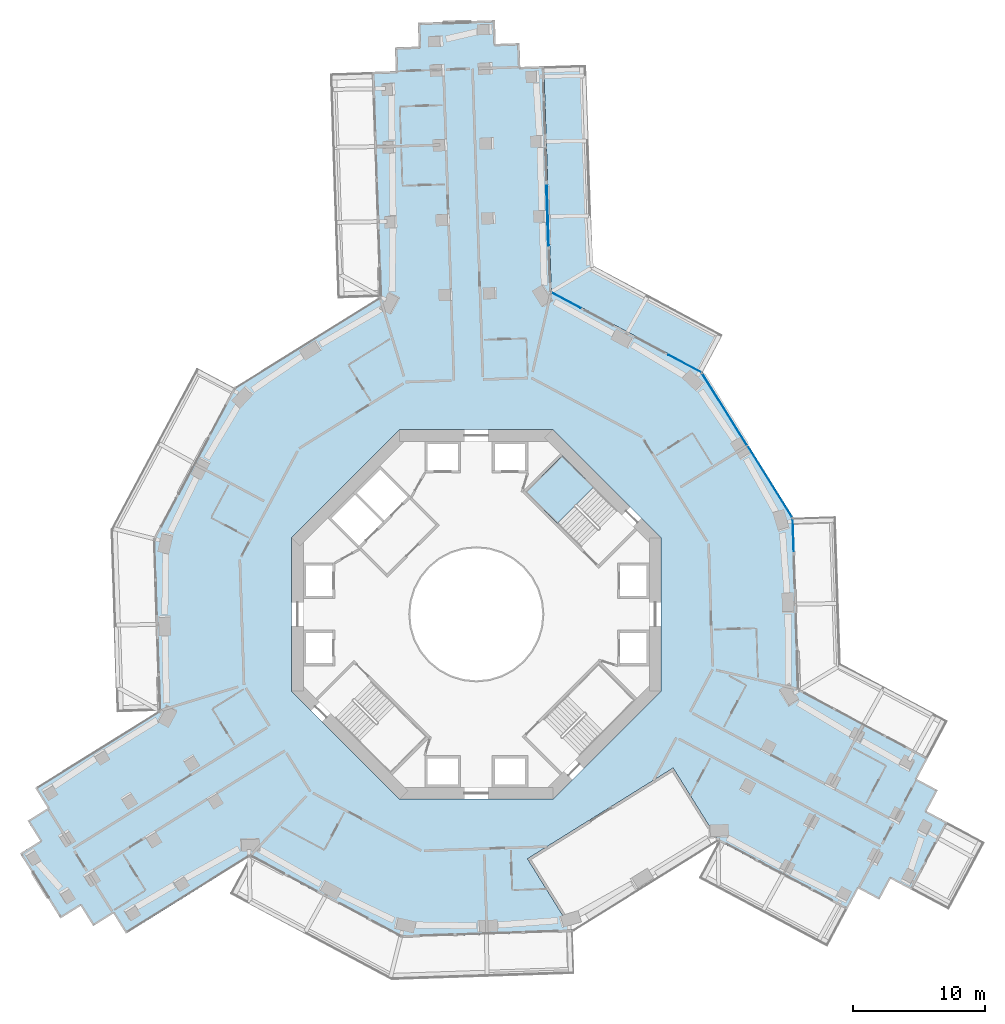
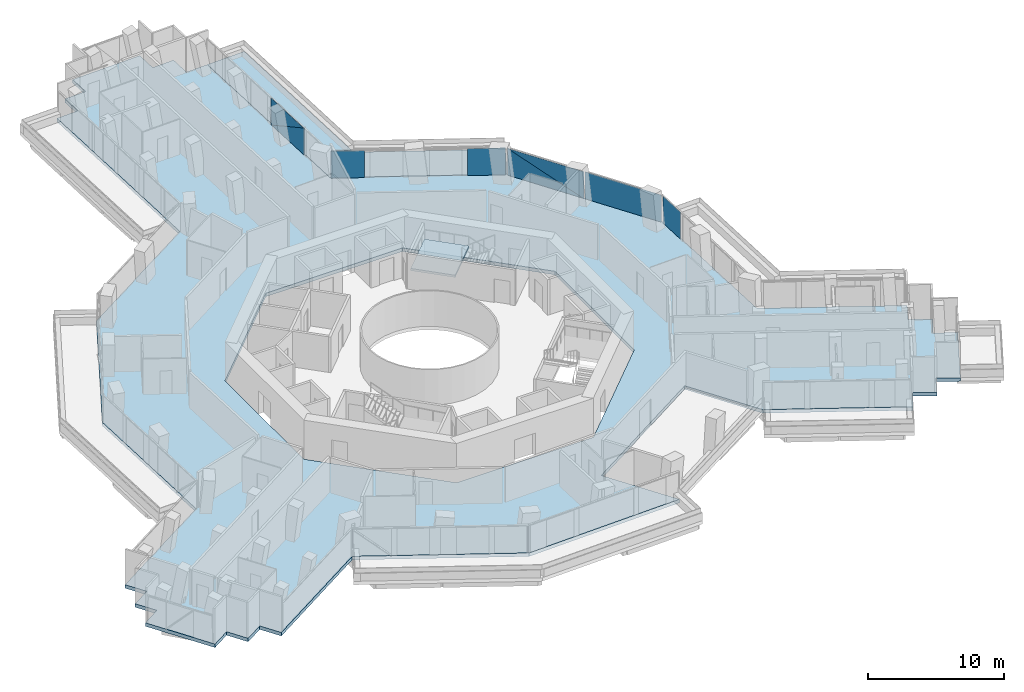
# One storey, part 16 of 27: 8 plates, 3 slabs, 5 elements without a shape of their own.
"""IFC4 building model written with IfcOpenShell, lengths in metres."""

import ifcopenshell
import ifcopenshell.guid

model = None  # the IFC model being written
_history = None  # IfcOwnerHistory: only IFC2X3 demands one
_inside = {}  # id of a spatial element -> (the spatial element, [elements in it])
_under = {}  # id of a project, library or spatial element -> (it, [spatial elements below it])
_declared = {}  # id of a project -> (the project, [libraries it declares])
_typed = {}  # id of a type object -> (the type object, [elements of that type])
_made_of = {}  # id of a material, layer set ... -> (it, [elements and type objects made of it])


def new_model(schema):
    """Start an empty IFC model of exactly this schema.

    Asked for "IFC4X3", IfcOpenShell would pick the latest addendum, in which some entities
    have other attributes; the version numbers below select the first issue.
    IFC2X3 requires an IfcOwnerHistory on every rooted entity: one is made here for all.
    """
    global model, _history
    if schema == "IFC4X3":
        model = ifcopenshell.file(schema_version=(4, 3, 0, 0))
    else:
        model = ifcopenshell.file(schema=schema)
    _inside.clear()
    _under.clear()
    _declared.clear()
    _typed.clear()
    _made_of.clear()
    _history = None
    if model.schema == "IFC2X3":
        org = make("IfcOrganization", Name="unknown")
        user = make(
            "IfcPersonAndOrganization",
            ThePerson=make("IfcPerson", FamilyName="unknown"),
            TheOrganization=org,
        )
        app = make(
            "IfcApplication",
            ApplicationDeveloper=org,
            Version="unknown",
            ApplicationFullName="unknown",
            ApplicationIdentifier="unknown",
        )
        _history = make(
            "IfcOwnerHistory",
            OwningUser=user,
            OwningApplication=app,
            ChangeAction="ADDED",
            CreationDate=0,
        )
    return model


def make(cls, **values):
    """One entity of the class cls with the attributes given. An attribute that is None is left unset."""
    return model.create_entity(
        cls, **{name: value for name, value in values.items() if value is not None}
    )


def rooted(cls, **values):
    """An entity with a GlobalId (a new one), such as an element, a storey or a relation."""
    return make(cls, GlobalId=ifcopenshell.guid.new(), OwnerHistory=_history, **values)


def si_unit(unit_type, name, prefix=None):
    """IfcSIUnit, for example si_unit("LENGTHUNIT", "METRE", prefix="MILLI")."""
    return make("IfcSIUnit", UnitType=unit_type, Prefix=prefix, Name=name)


def assignment(units):
    """IfcUnitAssignment: the units of a project."""
    return None if units is None else make("IfcUnitAssignment", Units=units)


def point(xyz):
    """IfcCartesianPoint."""
    return None if xyz is None else make("IfcCartesianPoint", Coordinates=xyz)


def direction(xyz):
    """IfcDirection."""
    return None if xyz is None else make("IfcDirection", DirectionRatios=xyz)


def frame(location, z_axis=None, x_axis=None):
    """IfcAxis2Placement3D, a coordinate frame: its origin and axes. An axis left out is left unset."""
    return make(
        "IfcAxis2Placement3D",
        Location=point(location),
        Axis=direction(z_axis),
        RefDirection=direction(x_axis),
    )


def frame_2d(location, x_axis=None):
    """IfcAxis2Placement2D, a coordinate frame in the plane: its origin and x axis."""
    return make(
        "IfcAxis2Placement2D", Location=point(location), RefDirection=direction(x_axis)
    )


def origin():
    """The frame at (0, 0, 0) with its axes left unset."""
    return frame((0.0, 0.0, 0.0))


def origin_2d():
    """The frame at (0, 0) in the plane with its x axis left unset."""
    return frame_2d((0.0, 0.0))


def place(relative_to, where):
    """IfcLocalPlacement: puts the frame where relative to a parent placement (None: the world)."""
    return make(
        "IfcLocalPlacement", PlacementRelTo=relative_to, RelativePlacement=where
    )


def context(
    kind, dimensions, precision=None, world=None, true_north=None, identifier=None
):
    """IfcGeometricRepresentationContext, for example the 3D "Model" context."""
    return make(
        "IfcGeometricRepresentationContext",
        ContextIdentifier=identifier,
        ContextType=kind,
        CoordinateSpaceDimension=dimensions,
        Precision=precision,
        WorldCoordinateSystem=world,
        TrueNorth=true_north,
    )


def subcontext(parent, identifier, kind, view, scale=None):
    """IfcGeometricRepresentationSubContext, for example "Body" below "Model"."""
    return make(
        "IfcGeometricRepresentationSubContext",
        ContextIdentifier=identifier,
        ContextType=kind,
        ParentContext=parent,
        TargetScale=scale,
        TargetView=view,
    )


def project(units=None, contexts=None):
    """IfcProject with its units and contexts."""
    return rooted(
        "IfcProject",
        Name="project",
        RepresentationContexts=contexts,
        UnitsInContext=assignment(units),
    )


def spatial(cls, under=None, at=None, **own):
    """A site, building, storey or space (cls), placed at a placement, below another one or the project."""
    s = rooted(cls, ObjectPlacement=at, **own)
    if under is not None:
        _under.setdefault(under.id(), (under, []))[1].append(s)
    return s


def polyline(points):
    """IfcPolyline through the points."""
    return make("IfcPolyline", Points=[point(p) for p in points])


def profile(cls, at=None, kind="AREA", **sizes):
    """A parametric profile (cls). Its sizes go by their IFC names, for example OverallWidth=200.0."""
    return make(cls, ProfileType=kind, Position=at, **sizes)


def rectangle(**sizes):
    """IfcRectangleProfileDef."""
    return profile("IfcRectangleProfileDef", **sizes)


def outline(outer, holes=None, kind="AREA"):
    """IfcArbitraryClosedProfileDef: a profile drawn as a closed curve; with holes, ...WithVoids."""
    if holes is None:
        return make("IfcArbitraryClosedProfileDef", ProfileType=kind, OuterCurve=outer)
    return make(
        "IfcArbitraryProfileDefWithVoids",
        ProfileType=kind,
        OuterCurve=outer,
        InnerCurves=holes,
    )


def extrude(swept, where, along, depth):
    """IfcExtrudedAreaSolid: the profile swept, set in the frame where, extruded along a direction by depth."""
    return make(
        "IfcExtrudedAreaSolid",
        SweptArea=swept,
        Position=where,
        ExtrudedDirection=direction(along),
        Depth=depth,
    )


def shape(context_of_items, identifier, shape_type, items):
    """IfcShapeRepresentation: the items that make up one representation, for example the "Body"."""
    return make(
        "IfcShapeRepresentation",
        ContextOfItems=context_of_items,
        RepresentationIdentifier=identifier,
        RepresentationType=shape_type,
        Items=items,
    )


def material(Name=None, Category=None):
    """IfcMaterial."""
    return make("IfcMaterial", Name=Name, Category=Category)


def layer(
    of_material, thickness, ventilated=None, Name=None, Category=None, Priority=None
):
    """IfcMaterialLayer: one layer of a wall or slab, of a material (None: an air gap)."""
    return make(
        "IfcMaterialLayer",
        Material=of_material,
        LayerThickness=thickness,
        IsVentilated=ventilated,
        Name=Name,
        Category=Category,
        Priority=Priority,
    )


def layer_set(layers, Name=None):
    """IfcMaterialLayerSet."""
    return make("IfcMaterialLayerSet", MaterialLayers=layers, LayerSetName=Name)


def made_of(thing, what):
    """Note that an element or type object is made of a material, layer set ...; save() writes the relation."""
    if what is not None:
        _made_of.setdefault(what.id(), (what, []))[1].append(thing)
    return thing


def type_object(cls, material=None, **own):
    """A type object (cls), such as IfcWallType, which elements share."""
    return made_of(rooted(cls, **own), material)


def element(
    cls,
    number,
    at=None,
    inside=None,
    cuts=None,
    type_object=None,
    material=None,
    context=None,
    identifier="Body",
    shape_type=None,
    held_by="IfcProductDefinitionShape",
    body=None,
    shapes=None,
    **own,
):
    """One element of the class cls, such as IfcWall. Its Tag is "e" and its number.

    at: its placement. inside: the storey or other place that contains it. cuts: it is an
    opening in that element (IfcRelVoidsElement). A single representation is given by context,
    identifier, shape_type and body (its items); several are given by shapes. held_by: the class
    of the entity that holds the representations. save() writes the other relations.
    """
    e = rooted(cls, Tag="e%d" % number, ObjectPlacement=at, **own)
    if body is not None:
        shapes = [shape(context, identifier, shape_type, body)]
    if shapes is not None:
        e.Representation = make(held_by, Representations=shapes)
    if inside is not None:
        _inside.setdefault(inside.id(), (inside, []))[1].append(e)
    if cuts is not None:
        rooted(
            "IfcRelVoidsElement", RelatingBuildingElement=cuts, RelatedOpeningElement=e
        )
    if type_object is not None:
        _typed.setdefault(type_object.id(), (type_object, []))[1].append(e)
    return made_of(e, material)


def aggregate(whole, parts):
    """IfcRelAggregates: a whole, such as a stair, and the parts it consists of."""
    return rooted("IfcRelAggregates", RelatingObject=whole, RelatedObjects=parts)


def save(model, path):
    """Write the relations noted so far, then the file.

    IfcRelAggregates (storeys below a building ...), IfcRelContainedInSpatialStructure (elements
    in a storey), IfcRelDefinesByType, IfcRelAssociatesMaterial and IfcRelDeclares: one each for
    every whole, place, type object, material and project.
    """
    for whole, parts in _under.values():
        aggregate(whole, parts)
    for where, things in _inside.values():
        rooted(
            "IfcRelContainedInSpatialStructure",
            RelatedElements=things,
            RelatingStructure=where,
        )
    for kind, things in _typed.values():
        rooted("IfcRelDefinesByType", RelatedObjects=things, RelatingType=kind)
    for what, things in _made_of.values():
        rooted("IfcRelAssociatesMaterial", RelatedObjects=things, RelatingMaterial=what)
    for by, libraries in _declared.values():
        rooted("IfcRelDeclares", RelatingContext=by, RelatedDefinitions=libraries)
    model.write(path)


model = new_model("IFC4")

# Units and contexts
model_context = context("Model", 3, precision=1e-05, world=origin(), true_north=direction((0.0, 1.0)))
body_context = subcontext(model_context, "Body", "Model", "MODEL_VIEW")
ifc_project = project(units=[si_unit("LENGTHUNIT", "METRE"), si_unit("AREAUNIT", "SQUARE_METRE"), si_unit("VOLUMEUNIT", "CUBIC_METRE"), si_unit("PLANEANGLEUNIT", "RADIAN"), si_unit("MASSUNIT", "GRAM", prefix="KILO")], contexts=[model_context])

# Site, building, storey
site_placement = place(None, origin())
site = spatial("IfcSite", under=ifc_project, at=site_placement, CompositionType="ELEMENT")
building_placement = place(site_placement, origin())
building = spatial("IfcBuilding", under=site, at=building_placement, Name="Verdalira Terraces Hotel", CompositionType="ELEMENT")
storey_placement = place(building_placement, frame((0.0, 0.0, 42.5)))
storey = spatial("IfcBuildingStorey", under=building, at=storey_placement, Name="L08", CompositionType="ELEMENT", Elevation=42.5)

# Slab
ifc_material_1 = material(Name="Precast concrete C40/50", Category="concrete")
ifc_layer_1 = layer(ifc_material_1, 0.31005859375)
ifc_layer_set_1 = layer_set([ifc_layer_1], Name="Balcony deck 310")
slab_type_1 = type_object("IfcSlabType", Name="Balcony deck 310", PredefinedType="FLOOR", material=ifc_layer_set_1)
slab_1_placement = place(storey_placement, frame((0.0, 0.0, -0.310059)))
element("IfcSlab", 1, at=slab_1_placement, inside=storey, type_object=slab_type_1, Name="Balcony deck", PredefinedType="FLOOR", context=body_context, shape_type="SweptSolid", body=[
    extrude(outline(polyline([(8.310791, 41.603027), (5.112549, 41.49585), (5.683594, 24.462402), (17.15332, 18.343262), (18.659668, 21.166748), (8.819824, 26.41626), (8.310791, 41.603027)])), origin(), (0.0, 0.0, 1.0), 0.310059),
])

# Curtain wall, plate
ifc_material_2 = material(Name="Clear glass", Category="glass")
ifc_layer_2 = layer(ifc_material_2, 0.14990234375)
ifc_layer_set_2 = layer_set([ifc_layer_2], Name="CW1 curtain wall")
curtain_wall_type_1 = type_object("IfcCurtainWallType", Name="CW1 curtain wall", PredefinedType="NOTDEFINED", material=ifc_layer_set_2)
curtain_wall_1_placement = place(storey_placement, origin())
curtain_wall_1 = element("IfcCurtainWall", 2, at=curtain_wall_1_placement, inside=storey, type_object=curtain_wall_type_1, Name="CW1 curtain wall L08 edge 39", PredefinedType="NOTDEFINED")
ifc_material_3 = material(Name="Clear glass", Category="glass")
ifc_layer_3 = layer(ifc_material_3, 0.028076171875)
ifc_layer_set_3 = layer_set([ifc_layer_3], Name="CW1 glass unit 28")
plate_type_1 = type_object("IfcPlateType", Name="CW1 glass unit 28", PredefinedType="CURTAIN_PANEL", material=ifc_layer_set_3)
plate_1_placement = place(storey_placement, frame((23.996094, 5.987549, 0.0), z_axis=(0.0, 0.0, 1.0), x_axis=(-0.03350405, 0.999438582, 0.0)))
plate_1 = element("IfcPlate", 3, at=plate_1_placement, type_object=plate_type_1, Name="CW1 glass unit", PredefinedType="CURTAIN_PANEL", context=body_context, shape_type="SweptSolid", body=[
    extrude(rectangle(XDim=2.439209, YDim=0.028076, at=origin_2d()), origin(), (0.0, 0.0, 1.0), 2.425049),
])
aggregate(curtain_wall_1, [plate_1])

# Curtain wall, plates
curtain_wall_2_placement = place(storey_placement, origin())
curtain_wall_2 = element("IfcCurtainWall", 4, at=curtain_wall_2_placement, inside=storey, type_object=curtain_wall_type_1, Name="CW1 curtain wall L08 edge 40", PredefinedType="NOTDEFINED")
plate_2_placement = place(storey_placement, frame((22.226318, 10.057861, 0.0), z_axis=(0.0, 0.0, 1.0), x_axis=(-0.52873465, 0.848787176, 0.0)))
plate_2 = element("IfcPlate", 5, at=plate_2_placement, type_object=plate_type_1, Name="CW1 glass unit", PredefinedType="CURTAIN_PANEL", context=body_context, shape_type="SweptSolid", body=[
    extrude(rectangle(XDim=6.369873, YDim=0.028076, at=origin_2d()), origin(), (0.0, 0.0, 1.0), 2.425049),
])
plate_3_placement = place(storey_placement, frame((18.814697, 15.508057, 1.212402), z_axis=(0.848787176, 0.52873465, 0.0), x_axis=(-0.52873465, 0.848787176, 0.0)))
plate_3 = element("IfcPlate", 6, at=plate_3_placement, type_object=plate_type_1, Name="CW1 glass unit", PredefinedType="CURTAIN_PANEL", context=body_context, shape_type="SweptSolid", body=[
    extrude(outline(polyline([(-3.185059, -1.212402), (3.185059, -1.212402), (3.185059, 1.212402), (-3.185059, -1.212402)])), origin(), (0.0, 0.0, 1.0), 0.028076),
])
plate_4_placement = place(storey_placement, frame((18.790039, 15.492676, 1.212402), z_axis=(0.848787176, 0.52873465, 0.0), x_axis=(-0.52873465, 0.848787176, 0.0)))
plate_4 = element("IfcPlate", 7, at=plate_4_placement, type_object=plate_type_1, Name="CW1 glass unit", PredefinedType="CURTAIN_PANEL", context=body_context, shape_type="SweptSolid", body=[
    extrude(outline(polyline([(-3.185059, -1.212402), (3.185059, 1.212402), (-3.185059, 1.212402), (-3.185059, -1.212402)])), origin(), (0.0, 0.0, 1.0), 0.028076),
])
aggregate(curtain_wall_2, [plate_2, plate_3, plate_4])

curtain_wall_3_placement = place(storey_placement, origin())
curtain_wall_3 = element("IfcCurtainWall", 8, at=curtain_wall_3_placement, inside=storey, type_object=curtain_wall_type_1, Name="CW1 curtain wall L08 edge 41", PredefinedType="NOTDEFINED")
plate_5_placement = place(storey_placement, frame((15.794678, 18.983154, 0.0), z_axis=(0.0, 0.0, 1.0), x_axis=(-0.882291226, 0.470703932, 0.0)))
plate_5 = element("IfcPlate", 9, at=plate_5_placement, type_object=plate_type_1, Name="CW1 glass unit", PredefinedType="CURTAIN_PANEL", context=body_context, shape_type="SweptSolid", body=[
    extrude(rectangle(XDim=2.799805, YDim=0.028076, at=origin_2d()), origin(), (0.0, 0.0, 1.0), 2.425049),
])
plate_6_placement = place(storey_placement, frame((6.795166, 23.784424, 0.0), z_axis=(0.0, 0.0, 1.0), x_axis=(-0.882291226, 0.470703932, 0.0)))
plate_6 = element("IfcPlate", 10, at=plate_6_placement, type_object=plate_type_1, Name="CW1 glass unit", PredefinedType="CURTAIN_PANEL", context=body_context, shape_type="SweptSolid", body=[
    extrude(rectangle(XDim=2.479492, YDim=0.028076, at=origin_2d()), origin(), (0.0, 0.0, 1.0), 2.425049),
])
aggregate(curtain_wall_3, [plate_5, plate_6])

ifc_material_4 = material(Name="Clear glass", Category="glass")
ifc_layer_4 = layer(ifc_material_4, 0.14990234375)
ifc_layer_set_4 = layer_set([ifc_layer_4], Name="CW2 curtain wall")
curtain_wall_type_2 = type_object("IfcCurtainWallType", Name="CW2 curtain wall", PredefinedType="NOTDEFINED", material=ifc_layer_set_4)
curtain_wall_4_placement = place(storey_placement, origin())
curtain_wall_4 = element("IfcCurtainWall", 11, at=curtain_wall_4_placement, inside=storey, type_object=curtain_wall_type_2, Name="CW2 curtain wall L08 edge 0", PredefinedType="NOTDEFINED")
ifc_material_5 = material(Name="Clear glass", Category="glass")
ifc_layer_5 = layer(ifc_material_5, 0.031982421875)
ifc_layer_set_5 = layer_set([ifc_layer_5], Name="CW2 glass unit 32")
plate_type_2 = type_object("IfcPlateType", Name="CW2 glass unit 32", PredefinedType="CURTAIN_PANEL", material=ifc_layer_set_5)
plate_7_placement = place(storey_placement, frame((5.400391, 30.198242, 1.212402), z_axis=(0.999438582, 0.03350405, 0.0), x_axis=(-0.03350405, 0.999438582, 0.0)))
plate_7 = element("IfcPlate", 12, at=plate_7_placement, type_object=plate_type_2, Name="CW2 glass unit", PredefinedType="CURTAIN_PANEL", context=body_context, shape_type="SweptSolid", body=[
    extrude(outline(polyline([(-2.27002, -1.212402), (2.27002, -1.212402), (-2.27002, 1.212402), (-2.27002, -1.212402)])), origin(), (0.0, 0.0, 1.0), 0.031982),
])
plate_8_placement = place(storey_placement, frame((5.367432, 30.197021, 1.212402), z_axis=(0.999438582, 0.03350405, 0.0), x_axis=(-0.03350405, 0.999438582, 0.0)))
plate_8 = element("IfcPlate", 13, at=plate_8_placement, type_object=plate_type_2, Name="CW2 glass unit", PredefinedType="CURTAIN_PANEL", context=body_context, shape_type="SweptSolid", body=[
    extrude(outline(polyline([(2.27002, -1.212402), (2.27002, 1.212402), (-2.27002, 1.212402), (2.27002, -1.212402)])), origin(), (0.0, 0.0, 1.0), 0.031982),
])
aggregate(curtain_wall_4, [plate_7, plate_8])

# Stair, slab
ifc_material_6 = material(Name="Concrete C40", Category="concrete")
stair_type = type_object("IfcStairType", Name="Core stair 20 risers 1900 mm wide", PredefinedType="HALF_TURN_STAIR", material=ifc_material_6)
stair_placement = place(storey_placement, origin())
stair = element("IfcStair", 14, at=stair_placement, inside=storey, type_object=stair_type, Name="L08 Exit stair ST1", PredefinedType="HALF_TURN_STAIR")
ifc_material_7 = material(Name="Concrete C40", Category="concrete")
ifc_layer_6 = layer(ifc_material_7, 0.199951171875)
ifc_layer_set_6 = layer_set([ifc_layer_6], Name="Core stair landing 200 mm")
slab_type_2 = type_object("IfcSlabType", Name="Core stair landing 200 mm", PredefinedType="LANDING", material=ifc_layer_set_6)
slab_2_placement = place(storey_placement, frame((0.0, 0.0, 1.550049)))
slab_2 = element("IfcSlab", 15, at=slab_2_placement, type_object=slab_type_2, Name="ST1 landing 1", PredefinedType="LANDING", context=body_context, shape_type="SweptSolid", body=[
    extrude(outline(polyline([(8.895752, 9.630371), (6.505371, 12.020752), (3.747559, 9.263184), (6.137939, 6.872803), (8.895752, 9.630371)])), origin(), (0.0, 0.0, 1.0), 0.199951),
])
aggregate(stair, [slab_2])

# Slab
ifc_material_8 = material(Name="Concrete C40", Category="concrete")
ifc_layer_7 = layer(ifc_material_8, 0.31005859375)
ifc_layer_set_7 = layer_set([ifc_layer_7], Name="Floor slab 310 C40")
slab_type_3 = type_object("IfcSlabType", Name="Floor slab 310 C40", PredefinedType="FLOOR", material=ifc_layer_set_7)
slab_3_placement = place(storey_placement, frame((0.0, 0.0, -0.310059)))
element("IfcSlab", 16, at=slab_3_placement, inside=storey, type_object=slab_type_3, Name="Floor slab L08", PredefinedType="FLOOR", context=body_context, shape_type="SweptSolid", body=[
    extrude(outline(polyline([(-17.15332, -18.343262), (-5.683594, -24.462402), (7.308594, -24.0271), (3.871582, -18.509766), (14.906738, -11.635498), (18.343994, -17.153564), (18.34375, -17.153809), (28.086426, -22.351318), (28.933594, -20.763184), (30.521729, -21.610596), (31.369141, -20.022217), (32.957275, -20.869629), (35.687256, -15.752197), (34.099121, -14.905029), (34.946289, -13.316895), (33.358398, -12.469727), (34.205566, -10.881592), (24.462402, -5.683594), (24.026855, 7.309082), (17.15332, 18.343262), (5.683594, 24.462402), (5.112549, 41.49585), (3.313721, 41.435547), (3.253418, 43.234619), (1.454346, 43.174316), (1.394043, 44.973145), (-4.402588, 44.778809), (-4.342285, 42.97998), (-6.141357, 42.919678), (-6.081055, 41.120605), (-7.880127, 41.060303), (-7.309082, 24.026855), (-18.343262, 17.15332), (-24.462402, 5.683594), (-24.026855, -7.309082), (-33.399902, -13.147949), (-32.448242, -14.675781), (-33.976074, -15.627441), (-33.024414, -17.155273), (-34.552246, -18.106934), (-31.485596, -23.029785), (-29.957764, -22.078125), (-29.006104, -23.605957), (-27.478271, -22.654297), (-26.526611, -24.182129), (-17.15332, -18.343262)]), holes=[polyline([(5.799072, 14.0), (14.0, 5.799072), (14.0, -5.799072), (5.799072, -14.0), (-5.799072, -14.0), (-14.0, -5.799072), (-14.0, 5.799072), (-5.799072, 14.0), (5.799072, 14.0)])]), origin(), (0.0, 0.0, 1.0), 0.310059),
])

save(model, "model.ifc")
